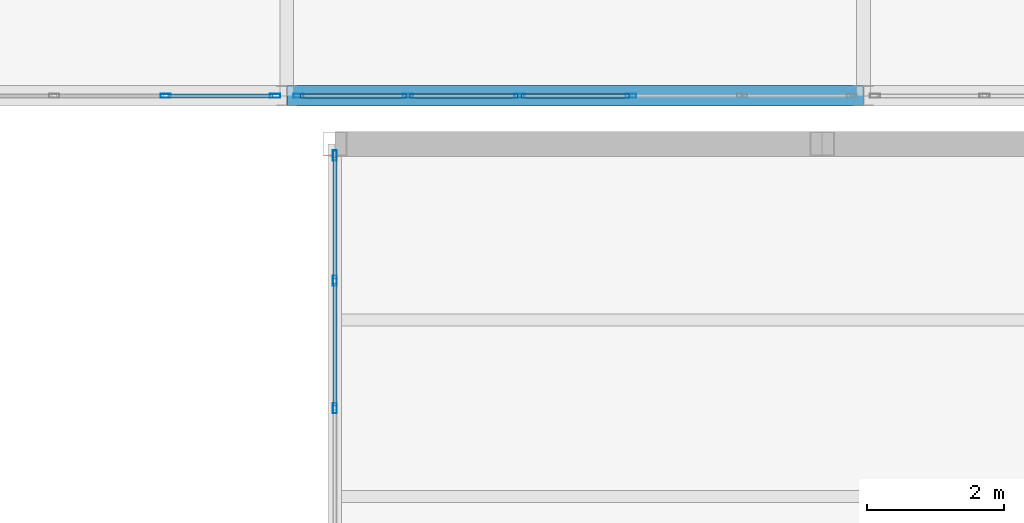
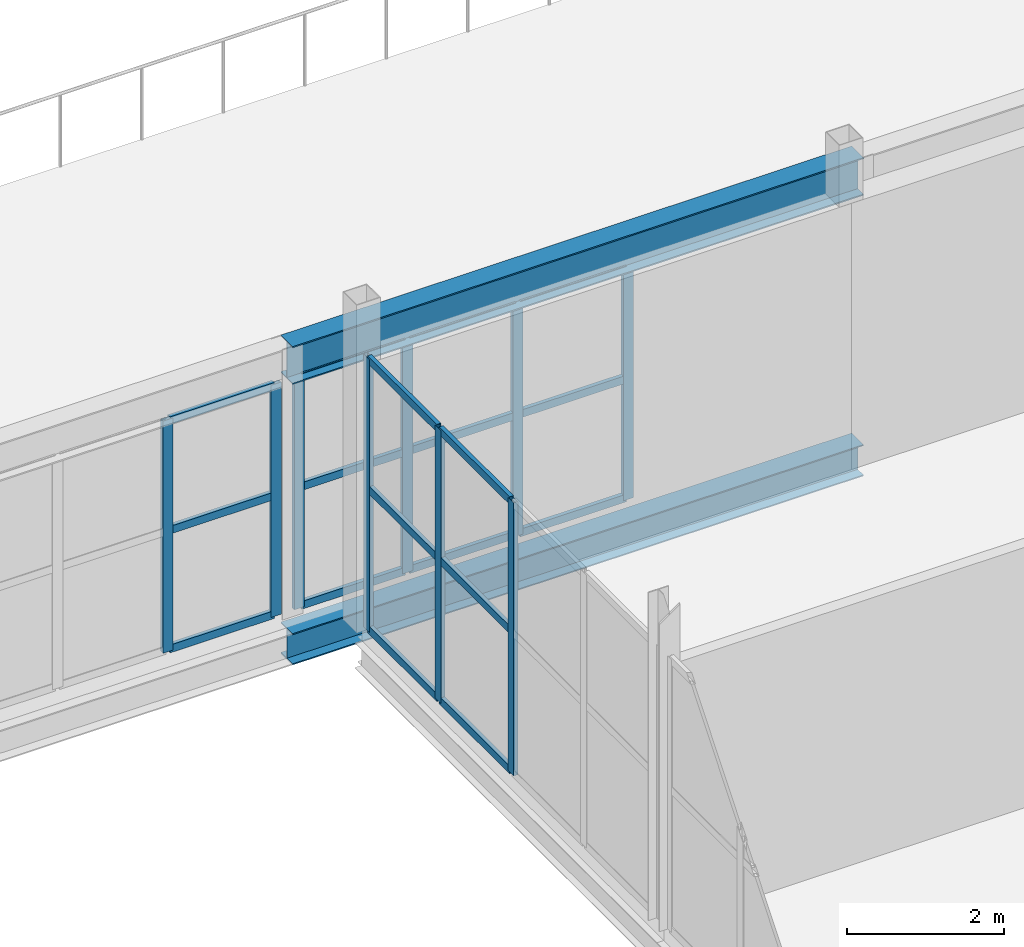
# One storey, part 141 of 218: 27 members, 2 beams, 3 elements without a shape of their own.
"""IFC4 building model written with IfcOpenShell, lengths in metres."""

from ifc_helpers import new_model, si_unit, direction, frame, origin, origin_2d, place, context, subcontext, project, spatial, hollow_rectangle, i_section, extrude, material, material_profile, profile_set, type_object, element, aggregate, save


model = new_model("IFC4")

# Units and contexts
model_context = context("Model", 3, precision=1e-05, world=origin(), true_north=direction((0.0, 1.0)))
body_context = subcontext(model_context, "Body", "Model", "MODEL_VIEW")
ifc_project = project(units=[si_unit("LENGTHUNIT", "METRE"), si_unit("AREAUNIT", "SQUARE_METRE"), si_unit("VOLUMEUNIT", "CUBIC_METRE"), si_unit("PLANEANGLEUNIT", "RADIAN"), si_unit("MASSUNIT", "GRAM", prefix="KILO")], contexts=[model_context])

# Site, building, storey
site_placement = place(None, origin())
site = spatial("IfcSite", under=ifc_project, at=site_placement, CompositionType="ELEMENT")
building_placement = place(site_placement, origin())
building = spatial("IfcBuilding", under=site, at=building_placement, Name="Kazenagashi Tramway Depot", CompositionType="ELEMENT")
storey_placement = place(building_placement, frame((0.0, 0.0, 6.0)))
storey = spatial("IfcBuildingStorey", under=building, at=storey_placement, Name="L02", CompositionType="ELEMENT", Elevation=6.0)

# Curtain wall, members
ifc_material_1 = material(Name="Anodised Aluminium and Low-E Glazing", Category="aluminium")
curtain_wall_type_1 = type_object("IfcCurtainWallType", Name="CW-11", PredefinedType="USERDEFINED", material=ifc_material_1)
curtain_wall_1_placement = place(storey_placement, origin())
curtain_wall_1 = element("IfcCurtainWall", 1, at=curtain_wall_1_placement, inside=storey, type_object=curtain_wall_type_1, Name="Industrial Glazed Screen CW-11 CW-0040", ObjectType="GLAZED SCREEN", PredefinedType="USERDEFINED")
ifc_material_2 = material(Name="Anodised Aluminium", Category="aluminium")
ifc_material_profile_1 = material_profile(ifc_material_2, hollow_rectangle(XDim=0.06, YDim=0.15, WallThickness=0.004, at=origin_2d()), Name="RHS-150x60x4")
ifc_profile_set_1 = profile_set([ifc_material_profile_1], Name="Anodised Aluminium")
member_type_1 = type_object("IfcMemberType", Name="ML-01", PredefinedType="MULLION", material=ifc_profile_set_1)
member_1_placement = place(storey_placement, frame((143.836, 70.0, 0.0), z_axis=(0.0, 0.0, 1.0), x_axis=(0.0, 1.0, 0.0)))
member_1 = element("IfcMember", 2, at=member_1_placement, type_object=member_type_1, Name="CW-11 mullion 5", PredefinedType="MULLION", context=body_context, shape_type="SweptSolid", body=[
    extrude(hollow_rectangle(XDim=0.06, YDim=0.15, WallThickness=0.004, at=origin_2d()), origin(), (0.0, 0.0, 1.0), 3.612),
])
member_2_placement = place(storey_placement, frame((145.43, 70.0, 0.0), z_axis=(0.0, 0.0, 1.0), x_axis=(0.0, 1.0, 0.0)))
member_2 = element("IfcMember", 3, at=member_2_placement, type_object=member_type_1, Name="CW-11 mullion 6", PredefinedType="MULLION", context=body_context, shape_type="SweptSolid", body=[
    extrude(hollow_rectangle(XDim=0.06, YDim=0.15, WallThickness=0.004, at=origin_2d()), origin(), (0.0, 0.0, 1.0), 3.612),
])

curtain_wall_2_placement = place(storey_placement, origin())
curtain_wall_2 = element("IfcCurtainWall", 4, at=curtain_wall_2_placement, inside=storey, type_object=curtain_wall_type_1, Name="Industrial Glazed Screen CW-11 CW-0043", ObjectType="GLAZED SCREEN", PredefinedType="USERDEFINED")
member_3_placement = place(storey_placement, frame((145.77, 70.0, 0.0), z_axis=(0.0, 0.0, 1.0), x_axis=(0.0, 1.0, 0.0)))
member_3 = element("IfcMember", 5, at=member_3_placement, type_object=member_type_1, Name="CW-11 mullion 1", PredefinedType="MULLION", context=body_context, shape_type="SweptSolid", body=[
    extrude(hollow_rectangle(XDim=0.06, YDim=0.15, WallThickness=0.004, at=origin_2d()), origin(), (0.0, 0.0, 1.0), 3.612),
])
member_4_placement = place(storey_placement, frame((147.364, 70.0, 0.0), z_axis=(0.0, 0.0, 1.0), x_axis=(0.0, 1.0, 0.0)))
member_4 = element("IfcMember", 6, at=member_4_placement, type_object=member_type_1, Name="CW-11 mullion 2", PredefinedType="MULLION", context=body_context, shape_type="SweptSolid", body=[
    extrude(hollow_rectangle(XDim=0.06, YDim=0.15, WallThickness=0.004, at=origin_2d()), origin(), (0.0, 0.0, 1.0), 3.612),
])
member_5_placement = place(storey_placement, frame((148.988, 70.0, 0.0), z_axis=(0.0, 0.0, 1.0), x_axis=(0.0, 1.0, 0.0)))
member_5 = element("IfcMember", 7, at=member_5_placement, type_object=member_type_1, Name="CW-11 mullion 3", PredefinedType="MULLION", context=body_context, shape_type="SweptSolid", body=[
    extrude(hollow_rectangle(XDim=0.06, YDim=0.15, WallThickness=0.004, at=origin_2d()), origin(), (0.0, 0.0, 1.0), 3.612),
])
member_6_placement = place(storey_placement, frame((150.612, 70.0, 0.0), z_axis=(0.0, 0.0, 1.0), x_axis=(0.0, 1.0, 0.0)))
member_6 = element("IfcMember", 8, at=member_6_placement, type_object=member_type_1, Name="CW-11 mullion 4", PredefinedType="MULLION", context=body_context, shape_type="SweptSolid", body=[
    extrude(hollow_rectangle(XDim=0.06, YDim=0.15, WallThickness=0.004, at=origin_2d()), origin(), (0.0, 0.0, 1.0), 3.612),
])

curtain_wall_type_2 = type_object("IfcCurtainWallType", Name="CW-31", PredefinedType="USERDEFINED", material=ifc_material_1)
curtain_wall_3_placement = place(storey_placement, origin())
curtain_wall_3 = element("IfcCurtainWall", 9, at=curtain_wall_3_placement, inside=storey, type_object=curtain_wall_type_2, Name="Industrial Glazed Screen CW-31 CW-0173", ObjectType="GLAZED SCREEN", PredefinedType="USERDEFINED")
member_7_placement = place(storey_placement, frame((146.3, 65.45, 0.0), z_axis=(0.0, 0.0, 1.0), x_axis=(-1.0, 0.0, 0.0)))
member_7 = element("IfcMember", 10, at=member_7_placement, type_object=member_type_1, Name="CW-31 mullion 3", PredefinedType="MULLION", context=body_context, shape_type="SweptSolid", body=[
    extrude(hollow_rectangle(XDim=0.06, YDim=0.15, WallThickness=0.004, at=origin_2d()), origin(), (0.0, 0.0, 1.0), 4.25),
])
member_8_placement = place(storey_placement, frame((146.3, 67.305, 0.0), z_axis=(0.0, 0.0, 1.0), x_axis=(-1.0, 0.0, 0.0)))
member_8 = element("IfcMember", 11, at=member_8_placement, type_object=member_type_1, Name="CW-31 mullion 4", PredefinedType="MULLION", context=body_context, shape_type="SweptSolid", body=[
    extrude(hollow_rectangle(XDim=0.06, YDim=0.15, WallThickness=0.004, at=origin_2d()), origin(), (0.0, 0.0, 1.0), 4.25),
])
member_9_placement = place(storey_placement, frame((146.3, 69.13, 0.0), z_axis=(0.0, 0.0, 1.0), x_axis=(-1.0, 0.0, 0.0)))
member_9 = element("IfcMember", 12, at=member_9_placement, type_object=member_type_1, Name="CW-31 mullion 5", PredefinedType="MULLION", context=body_context, shape_type="SweptSolid", body=[
    extrude(hollow_rectangle(XDim=0.06, YDim=0.15, WallThickness=0.004, at=origin_2d()), origin(), (0.0, 0.0, 1.0), 4.25),
])

# Beams
ifc_material_3 = material(Name="Steel SN490B", Category="steel")
ifc_material_profile_2 = material_profile(ifc_material_3, i_section(OverallWidth=0.3, OverallDepth=0.588, WebThickness=0.012, FlangeThickness=0.02, at=origin_2d()), Name="H-588x300x12x20")
ifc_profile_set_2 = profile_set([ifc_material_profile_2], Name="Steel SN490B")
beam_type_1 = type_object("IfcBeamType", Name="SP-01", PredefinedType="SPANDREL", material=ifc_profile_set_2)
beam_1_placement = place(storey_placement, frame((145.6, 70.0, 3.906), z_axis=(1.0, 0.0, 0.0), x_axis=(0.0, 1.0, 0.0)))
element("IfcBeam", 13, at=beam_1_placement, inside=storey, type_object=beam_type_1, Name="Beam SP-01 BM-1856", PredefinedType="SPANDREL", context=body_context, shape_type="SweptSolid", body=[
    extrude(i_section(OverallWidth=0.3, OverallDepth=0.588, WebThickness=0.012, FlangeThickness=0.02, at=origin_2d()), origin(), (0.0, 0.0, 1.0), 8.4),
])
ifc_material_profile_3 = material_profile(ifc_material_3, i_section(OverallWidth=0.3, OverallDepth=0.488, WebThickness=0.011, FlangeThickness=0.018, at=origin_2d()), Name="H-488x300x11x18")
ifc_profile_set_3 = profile_set([ifc_material_profile_3], Name="Steel SN490B")
beam_type_2 = type_object("IfcBeamType", Name="SP-02", PredefinedType="SPANDREL", material=ifc_profile_set_3)
beam_2_placement = place(storey_placement, frame((145.6, 70.0, -0.509), z_axis=(1.0, 0.0, 0.0), x_axis=(0.0, 1.0, 0.0)))
element("IfcBeam", 14, at=beam_2_placement, inside=storey, type_object=beam_type_2, Name="Beam SP-02 BM-1713", PredefinedType="SPANDREL", context=body_context, shape_type="SweptSolid", body=[
    extrude(i_section(OverallWidth=0.3, OverallDepth=0.488, WebThickness=0.011, FlangeThickness=0.018, at=origin_2d()), origin(), (0.0, 0.0, 1.0), 8.4),
])

# Member
ifc_material_profile_4 = material_profile(ifc_material_2, hollow_rectangle(XDim=0.06, YDim=0.12, WallThickness=0.004, at=origin_2d()), Name="RHS-120x60x4")
ifc_profile_set_4 = profile_set([ifc_material_profile_4], Name="Anodised Aluminium")
member_type_2 = type_object("IfcMemberType", Name="TR-01", PredefinedType="USERDEFINED", material=ifc_profile_set_4)
member_10_placement = place(storey_placement, frame((143.866, 70.0, 0.03), z_axis=(1.0, 0.0, 0.0), x_axis=(0.0, 1.0, 0.0)))
member_10 = element("IfcMember", 15, at=member_10_placement, type_object=member_type_2, Name="CW-11 transom 5.1", ObjectType="TRANSOM", PredefinedType="USERDEFINED", context=body_context, shape_type="SweptSolid", body=[
    extrude(hollow_rectangle(XDim=0.06, YDim=0.12, WallThickness=0.004, at=origin_2d()), origin(), (0.0, 0.0, 1.0), 1.534),
])

member_11_placement = place(storey_placement, frame((143.866, 70.0, 1.878), z_axis=(1.0, 0.0, 0.0), x_axis=(0.0, 1.0, 0.0)))
member_11 = element("IfcMember", 16, at=member_11_placement, type_object=member_type_2, Name="CW-11 transom 5.2", ObjectType="TRANSOM", PredefinedType="USERDEFINED", context=body_context, shape_type="SweptSolid", body=[
    extrude(hollow_rectangle(XDim=0.06, YDim=0.12, WallThickness=0.004, at=origin_2d()), origin(), (0.0, 0.0, 1.0), 1.534),
])

member_12_placement = place(storey_placement, frame((143.866, 70.0, 3.582), z_axis=(1.0, 0.0, 0.0), x_axis=(0.0, 1.0, 0.0)))
member_12 = element("IfcMember", 17, at=member_12_placement, type_object=member_type_2, Name="CW-11 transom 5.3", ObjectType="TRANSOM", PredefinedType="USERDEFINED", context=body_context, shape_type="SweptSolid", body=[
    extrude(hollow_rectangle(XDim=0.06, YDim=0.12, WallThickness=0.004, at=origin_2d()), origin(), (0.0, 0.0, 1.0), 1.534),
])

aggregate(curtain_wall_1, [member_1, member_2, member_10, member_11, member_12])

member_13_placement = place(storey_placement, frame((145.8, 70.0, 0.03), z_axis=(1.0, 0.0, 0.0), x_axis=(0.0, 1.0, 0.0)))
member_13 = element("IfcMember", 18, at=member_13_placement, type_object=member_type_2, Name="CW-11 transom 1.1", ObjectType="TRANSOM", PredefinedType="USERDEFINED", context=body_context, shape_type="SweptSolid", body=[
    extrude(hollow_rectangle(XDim=0.06, YDim=0.12, WallThickness=0.004, at=origin_2d()), origin(), (0.0, 0.0, 1.0), 1.534),
])

member_14_placement = place(storey_placement, frame((145.8, 70.0, 1.878), z_axis=(1.0, 0.0, 0.0), x_axis=(0.0, 1.0, 0.0)))
member_14 = element("IfcMember", 19, at=member_14_placement, type_object=member_type_2, Name="CW-11 transom 1.2", ObjectType="TRANSOM", PredefinedType="USERDEFINED", context=body_context, shape_type="SweptSolid", body=[
    extrude(hollow_rectangle(XDim=0.06, YDim=0.12, WallThickness=0.004, at=origin_2d()), origin(), (0.0, 0.0, 1.0), 1.534),
])

member_15_placement = place(storey_placement, frame((145.8, 70.0, 3.582), z_axis=(1.0, 0.0, 0.0), x_axis=(0.0, 1.0, 0.0)))
member_15 = element("IfcMember", 20, at=member_15_placement, type_object=member_type_2, Name="CW-11 transom 1.3", ObjectType="TRANSOM", PredefinedType="USERDEFINED", context=body_context, shape_type="SweptSolid", body=[
    extrude(hollow_rectangle(XDim=0.06, YDim=0.12, WallThickness=0.004, at=origin_2d()), origin(), (0.0, 0.0, 1.0), 1.534),
])

member_16_placement = place(storey_placement, frame((147.394, 70.0, 0.03), z_axis=(1.0, 0.0, 0.0), x_axis=(0.0, 1.0, 0.0)))
member_16 = element("IfcMember", 21, at=member_16_placement, type_object=member_type_2, Name="CW-11 transom 2.1", ObjectType="TRANSOM", PredefinedType="USERDEFINED", context=body_context, shape_type="SweptSolid", body=[
    extrude(hollow_rectangle(XDim=0.06, YDim=0.12, WallThickness=0.004, at=origin_2d()), origin(), (0.0, 0.0, 1.0), 1.564),
])

member_17_placement = place(storey_placement, frame((147.394, 70.0, 1.878), z_axis=(1.0, 0.0, 0.0), x_axis=(0.0, 1.0, 0.0)))
member_17 = element("IfcMember", 22, at=member_17_placement, type_object=member_type_2, Name="CW-11 transom 2.2", ObjectType="TRANSOM", PredefinedType="USERDEFINED", context=body_context, shape_type="SweptSolid", body=[
    extrude(hollow_rectangle(XDim=0.06, YDim=0.12, WallThickness=0.004, at=origin_2d()), origin(), (0.0, 0.0, 1.0), 1.564),
])

member_18_placement = place(storey_placement, frame((147.394, 70.0, 3.582), z_axis=(1.0, 0.0, 0.0), x_axis=(0.0, 1.0, 0.0)))
member_18 = element("IfcMember", 23, at=member_18_placement, type_object=member_type_2, Name="CW-11 transom 2.3", ObjectType="TRANSOM", PredefinedType="USERDEFINED", context=body_context, shape_type="SweptSolid", body=[
    extrude(hollow_rectangle(XDim=0.06, YDim=0.12, WallThickness=0.004, at=origin_2d()), origin(), (0.0, 0.0, 1.0), 1.564),
])

member_19_placement = place(storey_placement, frame((149.018, 70.0, 0.03), z_axis=(1.0, 0.0, 0.0), x_axis=(0.0, 1.0, 0.0)))
member_19 = element("IfcMember", 24, at=member_19_placement, type_object=member_type_2, Name="CW-11 transom 3.1", ObjectType="TRANSOM", PredefinedType="USERDEFINED", context=body_context, shape_type="SweptSolid", body=[
    extrude(hollow_rectangle(XDim=0.06, YDim=0.12, WallThickness=0.004, at=origin_2d()), origin(), (0.0, 0.0, 1.0), 1.564),
])

member_20_placement = place(storey_placement, frame((149.018, 70.0, 1.878), z_axis=(1.0, 0.0, 0.0), x_axis=(0.0, 1.0, 0.0)))
member_20 = element("IfcMember", 25, at=member_20_placement, type_object=member_type_2, Name="CW-11 transom 3.2", ObjectType="TRANSOM", PredefinedType="USERDEFINED", context=body_context, shape_type="SweptSolid", body=[
    extrude(hollow_rectangle(XDim=0.06, YDim=0.12, WallThickness=0.004, at=origin_2d()), origin(), (0.0, 0.0, 1.0), 1.564),
])

member_21_placement = place(storey_placement, frame((149.018, 70.0, 3.582), z_axis=(1.0, 0.0, 0.0), x_axis=(0.0, 1.0, 0.0)))
member_21 = element("IfcMember", 26, at=member_21_placement, type_object=member_type_2, Name="CW-11 transom 3.3", ObjectType="TRANSOM", PredefinedType="USERDEFINED", context=body_context, shape_type="SweptSolid", body=[
    extrude(hollow_rectangle(XDim=0.06, YDim=0.12, WallThickness=0.004, at=origin_2d()), origin(), (0.0, 0.0, 1.0), 1.564),
])

aggregate(curtain_wall_2, [member_3, member_4, member_5, member_6, member_13, member_14, member_15, member_16, member_17, member_18, member_19, member_20, member_21])

member_22_placement = place(storey_placement, frame((146.3, 65.48, 0.03), z_axis=(0.0, 1.0, 0.0), x_axis=(-1.0, 0.0, 0.0)))
member_22 = element("IfcMember", 27, at=member_22_placement, type_object=member_type_2, Name="CW-31 transom 3.1", ObjectType="TRANSOM", PredefinedType="USERDEFINED", context=body_context, shape_type="SweptSolid", body=[
    extrude(hollow_rectangle(XDim=0.06, YDim=0.12, WallThickness=0.004, at=origin_2d()), origin(), (0.0, 0.0, 1.0), 1.795),
])

member_23_placement = place(storey_placement, frame((146.3, 65.48, 2.21), z_axis=(0.0, 1.0, 0.0), x_axis=(-1.0, 0.0, 0.0)))
member_23 = element("IfcMember", 28, at=member_23_placement, type_object=member_type_2, Name="CW-31 transom 3.2", ObjectType="TRANSOM", PredefinedType="USERDEFINED", context=body_context, shape_type="SweptSolid", body=[
    extrude(hollow_rectangle(XDim=0.06, YDim=0.12, WallThickness=0.004, at=origin_2d()), origin(), (0.0, 0.0, 1.0), 1.795),
])

member_24_placement = place(storey_placement, frame((146.3, 65.48, 4.22), z_axis=(0.0, 1.0, 0.0), x_axis=(-1.0, 0.0, 0.0)))
member_24 = element("IfcMember", 29, at=member_24_placement, type_object=member_type_2, Name="CW-31 transom 3.3", ObjectType="TRANSOM", PredefinedType="USERDEFINED", context=body_context, shape_type="SweptSolid", body=[
    extrude(hollow_rectangle(XDim=0.06, YDim=0.12, WallThickness=0.004, at=origin_2d()), origin(), (0.0, 0.0, 1.0), 1.795),
])

member_25_placement = place(storey_placement, frame((146.3, 67.335, 0.03), z_axis=(0.0, 1.0, 0.0), x_axis=(-1.0, 0.0, 0.0)))
member_25 = element("IfcMember", 30, at=member_25_placement, type_object=member_type_2, Name="CW-31 transom 4.1", ObjectType="TRANSOM", PredefinedType="USERDEFINED", context=body_context, shape_type="SweptSolid", body=[
    extrude(hollow_rectangle(XDim=0.06, YDim=0.12, WallThickness=0.004, at=origin_2d()), origin(), (0.0, 0.0, 1.0), 1.765),
])

member_26_placement = place(storey_placement, frame((146.3, 67.335, 2.21), z_axis=(0.0, 1.0, 0.0), x_axis=(-1.0, 0.0, 0.0)))
member_26 = element("IfcMember", 31, at=member_26_placement, type_object=member_type_2, Name="CW-31 transom 4.2", ObjectType="TRANSOM", PredefinedType="USERDEFINED", context=body_context, shape_type="SweptSolid", body=[
    extrude(hollow_rectangle(XDim=0.06, YDim=0.12, WallThickness=0.004, at=origin_2d()), origin(), (0.0, 0.0, 1.0), 1.765),
])

member_27_placement = place(storey_placement, frame((146.3, 67.335, 4.22), z_axis=(0.0, 1.0, 0.0), x_axis=(-1.0, 0.0, 0.0)))
member_27 = element("IfcMember", 32, at=member_27_placement, type_object=member_type_2, Name="CW-31 transom 4.3", ObjectType="TRANSOM", PredefinedType="USERDEFINED", context=body_context, shape_type="SweptSolid", body=[
    extrude(hollow_rectangle(XDim=0.06, YDim=0.12, WallThickness=0.004, at=origin_2d()), origin(), (0.0, 0.0, 1.0), 1.765),
])

aggregate(curtain_wall_3, [member_7, member_8, member_9, member_22, member_23, member_24, member_25, member_26, member_27])

save(model, "model.ifc")
